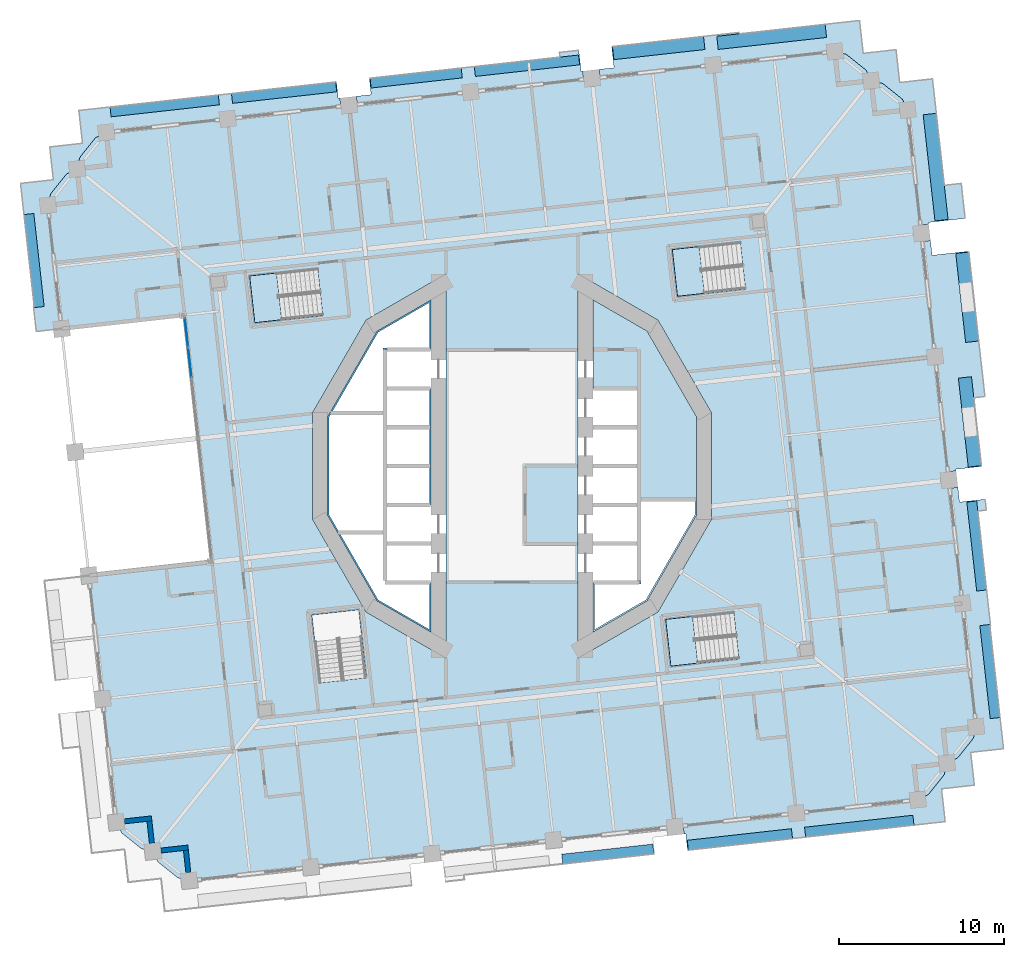
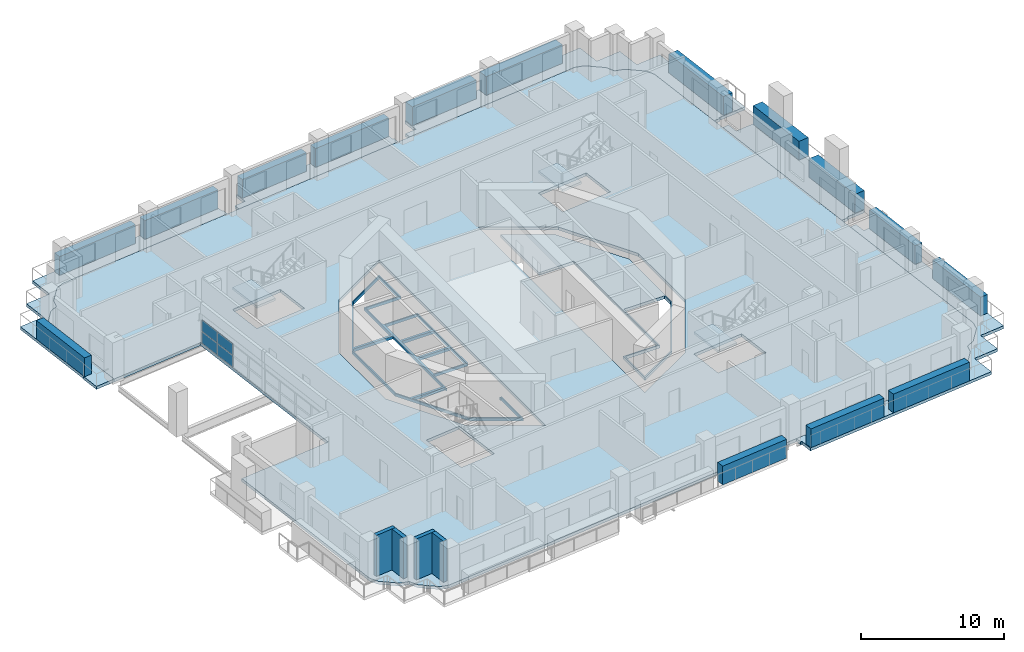
# One storey, part 6 of 21: 19 plates, 11 slabs, 4 walls, 4 elements without a shape of their own.
"""IFC4 building model written with IfcOpenShell, lengths in metres."""

from ifc_helpers import new_model, si_unit, direction, frame, frame_2d, origin, origin_2d, place, context, subcontext, project, spatial, polyline, rectangle, outline, extrude, material, layer, layer_set, type_object, element, aggregate, save


model = new_model("IFC4")

# Units and contexts
model_context = context("Model", 3, precision=1e-05, world=origin(), true_north=direction((0.0, 1.0)))
body_context = subcontext(model_context, "Body", "Model", "MODEL_VIEW")
ifc_project = project(units=[si_unit("LENGTHUNIT", "METRE"), si_unit("AREAUNIT", "SQUARE_METRE"), si_unit("VOLUMEUNIT", "CUBIC_METRE"), si_unit("PLANEANGLEUNIT", "RADIAN"), si_unit("MASSUNIT", "GRAM", prefix="KILO")], contexts=[model_context])

# Site, building, storey
site_placement = place(None, origin())
site = spatial("IfcSite", under=ifc_project, at=site_placement, CompositionType="ELEMENT")
building_placement = place(site_placement, origin())
building = spatial("IfcBuilding", under=site, at=building_placement, Name="Cantera Rosa Tower", CompositionType="ELEMENT")
storey_placement = place(building_placement, frame((0.0, 0.0, 69.10009765625)))
storey = spatial("IfcBuildingStorey", under=building, at=storey_placement, Name="L14", CompositionType="ELEMENT", Elevation=69.10009765625)

# Slabs
ifc_material_1 = material(Name="Concrete C35/45", Category="concrete")
ifc_layer_1 = layer(ifc_material_1, 0.25)
ifc_layer_set_1 = layer_set([ifc_layer_1], Name="COMPOSITE FLOOR SLAB 250 C35/45")
slab_type_1 = type_object("IfcSlabType", Name="COMPOSITE FLOOR SLAB 250 C35/45", PredefinedType="FLOOR", material=ifc_layer_set_1)
slab_1_placement = place(storey_placement, frame((0.0, 0.0, -0.25)))
element("IfcSlab", 1, at=slab_1_placement, inside=storey, type_object=slab_type_1, Name="SLAB L14 floor 1", PredefinedType="FLOOR", context=body_context, shape_type="SweptSolid", body=[
    extrude(outline(polyline([(-10.403076171875, -4.12939453125), (-8.106689453125, -8.106689453125), (-5.0, -9.900390625), (-5.0, -7.14990234375), (-5.0927734375, -7.050048828125), (-4.89990234375, -7.050048828125), (-4.89990234375, -10.07373046875), (-8.179931640625, -8.179931640625), (-11.174072265625, -2.994140625), (-11.174072265625, 2.994140625), (-8.179931640625, 8.179931640625), (-4.89990234375, 10.07373046875), (-4.89990234375, 7.050048828125), (-7.699951171875, 7.050048828125), (-7.699951171875, 4.699951171875), (-4.89990234375, 4.699951171875), (-4.89990234375, -2.35009765625), (-7.699951171875, -2.35009765625), (-7.699951171875, -4.2373046875), (-7.800048828125, -4.12939453125), (-10.403076171875, -4.12939453125)]), holes=[polyline([(-7.60009765625, -0.10009765625), (-7.60009765625, -2.25), (-5.0, -2.25), (-5.0, -0.10009765625), (-7.60009765625, -0.10009765625)]), polyline([(-11.07421875, 2.96728515625), (-11.07421875, -2.96728515625), (-10.5185546875, -3.929443359375), (-7.800048828125, -3.929443359375), (-7.800048828125, -2.449951171875), (-7.800048828125, -2.25), (-7.800048828125, 2.25), (-7.800048828125, 2.449951171875), (-7.800048828125, 3.12353515625), (-10.98388671875, 3.12353515625), (-11.07421875, 2.96728515625)]), polyline([(-7.60009765625, 2.25), (-7.60009765625, 0.10009765625), (-5.0, 0.10009765625), (-5.0, 2.25), (-7.60009765625, 2.25)]), polyline([(-7.60009765625, 2.449951171875), (-5.0, 2.449951171875), (-5.0, 4.60009765625), (-7.60009765625, 4.60009765625), (-7.60009765625, 2.449951171875)]), polyline([(-8.106689453125, 8.106689453125), (-10.868408203125, 3.323486328125), (-7.800048828125, 3.323486328125), (-7.800048828125, 7.14990234375), (-5.0, 7.14990234375), (-5.0, 9.900390625), (-8.106689453125, 8.106689453125)])]), origin(), (0.0, 0.0, 1.0), 0.25),
])
slab_2_placement = place(storey_placement, frame((0.0, 0.0, -0.25)))
element("IfcSlab", 2, at=slab_2_placement, inside=storey, type_object=slab_type_1, Name="SLAB L14 floor 2", PredefinedType="FLOOR", context=body_context, shape_type="SweptSolid", body=[
    extrude(outline(polyline([(-20.288818359375, -24.902099609375), (-21.39306640625, -24.018798828125), (-21.415283203125, -23.999267578125), (-21.435302734375, -23.9775390625), (-21.453125, -23.9541015625), (-21.468505859375, -23.92919921875), (-21.7578125, -23.342529296875), (-22.393310546875, -23.18896484375), (-22.42138671875, -23.179443359375), (-22.447998046875, -23.1669921875), (-22.473388671875, -23.15234375), (-22.497314453125, -23.135009765625), (-23.6015625, -22.25146484375), (-23.62353515625, -22.23193359375), (-23.643798828125, -22.21044921875), (-23.66162109375, -22.18701171875), (-23.677001953125, -22.161865234375), (-23.96630859375, -21.575439453125), (-25.625244140625, -6.627197265625), (-18.171142578125, -5.7998046875), (-19.830078125, 9.148193359375), (-27.284423828125, 8.321044921875), (-28.114013671875, 15.795166015625), (-27.960205078125, 16.4306640625), (-27.95068359375, 16.45849609375), (-27.9384765625, 16.4853515625), (-27.923583984375, 16.5107421875), (-27.906494140625, 16.53466796875), (-27.022705078125, 17.638916015625), (-27.00341796875, 17.660888671875), (-26.981689453125, 17.680908203125), (-26.958251953125, 17.69873046875), (-26.933349609375, 17.714111328125), (-26.3466796875, 18.00341796875), (-26.193115234375, 18.63916015625), (-26.18359375, 18.6669921875), (-26.17138671875, 18.693603515625), (-26.156494140625, 18.71923828125), (-26.139404296875, 18.742919921875), (-25.255615234375, 19.84716796875), (-25.236083984375, 19.869384765625), (-25.214599609375, 19.889404296875), (-25.191162109375, 19.9072265625), (-25.166015625, 19.922607421875), (-24.57958984375, 20.2119140625), (18.642578125, 25.00927734375), (19.54931640625, 25.10986328125), (20.18505859375, 24.9560546875), (20.212890625, 24.946533203125), (20.239501953125, 24.934326171875), (20.26513671875, 24.91943359375), (20.288818359375, 24.902099609375), (21.39306640625, 24.018798828125), (21.415283203125, 23.999267578125), (21.435302734375, 23.9775390625), (21.453125, 23.9541015625), (21.468505859375, 23.92919921875), (21.7578125, 23.342529296875), (22.393310546875, 23.18896484375), (22.42138671875, 23.179443359375), (22.447998046875, 23.1669921875), (22.473388671875, 23.15234375), (22.497314453125, 23.135009765625), (23.6015625, 22.25146484375), (23.62353515625, 22.23193359375), (23.643798828125, 22.21044921875), (23.66162109375, 22.18701171875), (23.677001953125, 22.161865234375), (23.96630859375, 21.575439453125), (28.114013671875, -15.795166015625), (27.960205078125, -16.4306640625), (27.95068359375, -16.45849609375), (27.9384765625, -16.4853515625), (27.923583984375, -16.5107421875), (27.906494140625, -16.53466796875), (27.022705078125, -17.638916015625), (27.00341796875, -17.660888671875), (26.981689453125, -17.680908203125), (26.958251953125, -17.69873046875), (26.933349609375, -17.714111328125), (26.3466796875, -18.00341796875), (26.193115234375, -18.63916015625), (26.18359375, -18.6669921875), (26.17138671875, -18.693603515625), (26.156494140625, -18.71923828125), (26.139404296875, -18.742919921875), (25.255615234375, -19.84716796875), (25.236083984375, -19.869384765625), (25.214599609375, -19.889404296875), (25.191162109375, -19.9072265625), (25.166015625, -19.922607421875), (24.57958984375, -20.2119140625), (-18.642578125, -25.00927734375), (-19.54931640625, -25.10986328125), (-20.18505859375, -24.9560546875), (-20.212890625, -24.946533203125), (-20.239501953125, -24.934326171875), (-20.26513671875, -24.91943359375), (-20.288818359375, -24.902099609375)]), holes=[polyline([(-8.83056640625, -12.822265625), (-9.287109375, -8.709716796875), (-12.11962890625, -9.02392578125), (-11.6630859375, -13.13671875), (-8.83056640625, -12.822265625)]), polyline([(-8.8388671875, 8.8388671875), (-12.07421875, 3.235107421875), (-12.07421875, -3.235107421875), (-8.8388671875, -8.8388671875), (-4.0, -11.632568359375), (-4.0, 11.632568359375), (-8.8388671875, 8.8388671875)]), polyline([(-11.46337890625, 9.13671875), (-11.777587890625, 11.969482421875), (-15.890380859375, 11.512939453125), (-15.575927734375, 8.680419921875), (-11.46337890625, 9.13671875)]), polyline([(13.42236328125, -8.83056640625), (9.3095703125, -9.287109375), (9.6240234375, -12.11962890625), (13.73681640625, -11.6630859375), (13.42236328125, -8.83056640625)]), polyline([(4.0, -11.632568359375), (8.8388671875, -8.8388671875), (12.07421875, -3.235107421875), (12.07421875, 3.235107421875), (8.8388671875, 8.8388671875), (4.0, 11.632568359375), (4.0, -11.632568359375)]), polyline([(14.13671875, 10.73681640625), (13.822265625, 13.5693359375), (9.709716796875, 13.11279296875), (10.02392578125, 10.2802734375), (14.13671875, 10.73681640625)])]), origin(), (0.0, 0.0, 1.0), 0.25),
])
slab_3_placement = place(storey_placement, frame((0.0, 0.0, -0.25)))
element("IfcSlab", 3, at=slab_3_placement, inside=storey, type_object=slab_type_1, Name="SLAB L14 floor 3", PredefinedType="FLOOR", context=body_context, shape_type="SweptSolid", body=[
    extrude(outline(polyline([(7.699951171875, 0.0), (7.699951171875, 2.35009765625), (7.699951171875, 4.699951171875), (4.89990234375, 4.699951171875), (4.89990234375, 10.07373046875), (8.179931640625, 8.179931640625), (11.174072265625, 2.994140625), (11.174072265625, -2.994140625), (8.179931640625, -8.179931640625), (4.89990234375, -10.07373046875), (4.89990234375, -7.050048828125), (7.699951171875, -7.050048828125), (7.699951171875, -4.699951171875), (7.699951171875, -2.35009765625), (7.699951171875, 0.0)]), holes=[polyline([(7.800048828125, -2.25), (7.800048828125, -2.449951171875), (7.800048828125, -7.14990234375), (5.0, -7.14990234375), (5.0, -9.900390625), (8.106689453125, -8.106689453125), (11.07421875, -2.96728515625), (11.07421875, -2.11474609375), (7.800048828125, -2.11474609375), (7.800048828125, -2.25)])]), origin(), (0.0, 0.0, 1.0), 0.25),
])

# Curtain wall, plates
ifc_material_2 = material(Name="Aluminium frame with clear glass", Category="aluminium")
curtain_wall_type = type_object("IfcCurtainWallType", Name="CW1 TERRACE POCKET GLAZING", PredefinedType="NOTDEFINED", material=ifc_material_2)
curtain_wall_placement = place(storey_placement, origin())
curtain_wall = element("IfcCurtainWall", 4, at=curtain_wall_placement, inside=storey, type_object=curtain_wall_type, Name="CW1 CW1", PredefinedType="NOTDEFINED")
ifc_material_3 = material(Name="Aluminium frame with clear glass", Category="aluminium")
ifc_layer_2 = layer(ifc_material_3, 0.028076171875)
ifc_layer_set_2 = layer_set([ifc_layer_2], Name="CW-PANEL POCKET")
plate_type_1 = type_object("IfcPlateType", Name="CW-PANEL POCKET", PredefinedType="CURTAIN_PANEL", material=ifc_layer_set_2)
plate_1_placement = place(storey_placement, frame((-19.712890625, 8.09033203125, 0.06005859375), z_axis=(0.0, 0.0, 1.0), x_axis=(0.110312555508, -0.993896946417, 0.0)))
plate_1 = element("IfcPlate", 5, at=plate_1_placement, type_object=plate_type_1, Name="CW1 panel 1.1", PredefinedType="CURTAIN_PANEL", context=body_context, shape_type="SweptSolid", body=[
    extrude(rectangle(XDim=1.7587890625, YDim=0.028076171875, at=origin_2d()), origin(), (0.0, 0.0, 1.0), 0.9619140625),
])
plate_2_placement = place(storey_placement, frame((-19.712890625, 8.09033203125, 1.08203125), z_axis=(0.0, 0.0, 1.0), x_axis=(0.110312555508, -0.993896946417, 0.0)))
plate_2 = element("IfcPlate", 6, at=plate_2_placement, type_object=plate_type_1, Name="CW1 panel 1.2", PredefinedType="CURTAIN_PANEL", context=body_context, shape_type="SweptSolid", body=[
    extrude(rectangle(XDim=1.7587890625, YDim=0.028076171875, at=origin_2d()), origin(), (0.0, 0.0, 1.0), 0.9619140625),
])
plate_3_placement = place(storey_placement, frame((-19.510498046875, 6.267822265625, 0.06005859375), z_axis=(0.0, 0.0, 1.0), x_axis=(0.110312555508, -0.993896946417, 0.0)))
plate_3 = element("IfcPlate", 7, at=plate_3_placement, type_object=plate_type_1, Name="CW1 panel 2.1", PredefinedType="CURTAIN_PANEL", context=body_context, shape_type="SweptSolid", body=[
    extrude(rectangle(XDim=1.788818359375, YDim=0.028076171875, at=origin_2d()), origin(), (0.0, 0.0, 1.0), 0.9619140625),
])
plate_4_placement = place(storey_placement, frame((-19.510498046875, 6.267822265625, 1.08203125), z_axis=(0.0, 0.0, 1.0), x_axis=(0.110312555508, -0.993896946417, 0.0)))
plate_4 = element("IfcPlate", 8, at=plate_4_placement, type_object=plate_type_1, Name="CW1 panel 2.2", PredefinedType="CURTAIN_PANEL", context=body_context, shape_type="SweptSolid", body=[
    extrude(rectangle(XDim=1.788818359375, YDim=0.028076171875, at=origin_2d()), origin(), (0.0, 0.0, 1.0), 0.9619140625),
])
aggregate(curtain_wall, [plate_1, plate_2, plate_3, plate_4])

# Slabs
ifc_material_4 = material(Name="Concrete C35/45", Category="concrete")
ifc_layer_3 = layer(ifc_material_4, 0.25)
ifc_layer_set_3 = layer_set([ifc_layer_3], Name="LOGGIA SLAB 250 C35/45")
slab_type_2 = type_object("IfcSlabType", Name="LOGGIA SLAB 250 C35/45", PredefinedType="FLOOR", material=ifc_layer_set_3)
slab_4_placement = place(storey_placement, frame((0.0, 0.0, -0.25)))
element("IfcSlab", 9, at=slab_4_placement, inside=storey, type_object=slab_type_2, Name="LOGGIA SLAB L14 2", PredefinedType="FLOOR", context=body_context, shape_type="SweptSolid", body=[
    extrude(outline(polyline([(-28.9453125, 9.686279296875), (-29.604736328125, 15.629638671875), (-29.770263671875, 17.12060546875), (-28.279296875, 17.285888671875), (-27.782470703125, 17.341064453125), (-27.837646484375, 17.837890625), (-28.003173828125, 19.328857421875), (-26.51220703125, 19.494384765625), (-26.015380859375, 19.549560546875), (-26.070556640625, 20.04638671875), (-26.236083984375, 21.537353515625), (-24.7451171875, 21.702880859375), (-18.881103515625, 22.353515625), (-15.8994140625, 22.6845703125), (-11.5263671875, 23.169921875), (-10.6318359375, 23.269287109375), (-10.521484375, 22.275390625), (-10.422119140625, 22.286376953125), (-10.366943359375, 21.789306640625), (-24.57958984375, 20.2119140625), (-25.166015625, 19.922607421875), (-25.191162109375, 19.9072265625), (-25.214599609375, 19.889404296875), (-25.236083984375, 19.869384765625), (-25.255615234375, 19.84716796875), (-26.139404296875, 18.742919921875), (-26.156494140625, 18.71923828125), (-26.17138671875, 18.693603515625), (-26.18359375, 18.6669921875), (-26.193115234375, 18.63916015625), (-26.3466796875, 18.00341796875), (-26.933349609375, 17.714111328125), (-26.958251953125, 17.69873046875), (-26.981689453125, 17.680908203125), (-27.00341796875, 17.660888671875), (-27.022705078125, 17.638916015625), (-27.906494140625, 16.53466796875), (-27.923583984375, 16.5107421875), (-27.9384765625, 16.4853515625), (-27.95068359375, 16.45849609375), (-27.960205078125, 16.4306640625), (-28.114013671875, 15.795166015625), (-27.284423828125, 8.321044921875), (-28.815185546875, 8.151123046875), (-28.985107421875, 9.681884765625), (-28.9453125, 9.686279296875)])), origin(), (0.0, 0.0, 1.0), 0.25),
])
slab_5_placement = place(storey_placement, frame((0.0, 0.0, -0.25)))
element("IfcSlab", 10, at=slab_5_placement, inside=storey, type_object=slab_type_2, Name="LOGGIA SLAB L14 4", PredefinedType="FLOOR", context=body_context, shape_type="SweptSolid", body=[
    extrude(outline(polyline([(-1.189697265625, 24.317138671875), (2.89990234375, 24.77099609375), (2.868408203125, 25.054443359375), (4.04638671875, 25.185302734375), (4.188232421875, 23.907958984375), (4.28759765625, 23.9189453125), (4.3427734375, 23.422119140625), (-9.373046875, 21.899658203125), (-9.42822265625, 22.396484375), (-8.53369140625, 22.495849609375), (-8.64404296875, 23.48974609375), (-8.544677734375, 23.5009765625), (-4.17138671875, 23.986083984375), (-1.189697265625, 24.317138671875)])), origin(), (0.0, 0.0, 1.0), 0.25),
])
slab_6_placement = place(storey_placement, frame((0.0, 0.0, -0.25)))
element("IfcSlab", 11, at=slab_6_placement, inside=storey, type_object=slab_type_2, Name="LOGGIA SLAB L14 6", PredefinedType="FLOOR", context=body_context, shape_type="SweptSolid", body=[
    extrude(outline(polyline([(19.36181640625, 26.79931640625), (21.051513671875, 26.98681640625), (21.239013671875, 25.29736328125), (21.272216796875, 24.999267578125), (21.5703125, 25.0322265625), (23.260009765625, 25.2197265625), (23.447509765625, 23.5302734375), (23.48046875, 23.23193359375), (23.77880859375, 23.26513671875), (25.46826171875, 23.45263671875), (25.65576171875, 21.762939453125), (26.183837890625, 17.0048828125), (27.21044921875, 17.118896484375), (27.445556640625, 14.9990234375), (25.2265625, 14.752685546875), (25.237548828125, 14.653564453125), (24.740478515625, 14.598388671875), (23.96630859375, 21.575439453125), (23.677001953125, 22.161865234375), (23.66162109375, 22.18701171875), (23.643798828125, 22.21044921875), (23.62353515625, 22.23193359375), (23.6015625, 22.25146484375), (22.497314453125, 23.135009765625), (22.473388671875, 23.15234375), (22.447998046875, 23.1669921875), (22.42138671875, 23.179443359375), (22.393310546875, 23.18896484375), (21.7578125, 23.342529296875), (21.468505859375, 23.92919921875), (21.453125, 23.9541015625), (21.435302734375, 23.9775390625), (21.415283203125, 23.999267578125), (21.39306640625, 24.018798828125), (20.288818359375, 24.902099609375), (20.26513671875, 24.91943359375), (20.239501953125, 24.934326171875), (20.212890625, 24.946533203125), (20.18505859375, 24.9560546875), (19.54931640625, 25.10986328125), (18.642578125, 25.00927734375), (5.336669921875, 23.5322265625), (5.281494140625, 24.029296875), (6.176025390625, 24.12841796875), (6.0341796875, 25.406005859375), (13.77197265625, 26.2646484375), (13.78125, 26.179931640625), (19.36181640625, 26.79931640625)])), origin(), (0.0, 0.0, 1.0), 0.25),
])
slab_7_placement = place(storey_placement, frame((0.0, 0.0, -0.25)))
element("IfcSlab", 12, at=slab_7_placement, inside=storey, type_object=slab_type_2, Name="LOGGIA SLAB L14 7", PredefinedType="FLOOR", context=body_context, shape_type="SweptSolid", body=[
    extrude(outline(polyline([(28.985107421875, -9.681884765625), (28.9453125, -9.686279296875), (29.604736328125, -15.629638671875), (29.770263671875, -17.12060546875), (28.279296875, -17.285888671875), (27.782470703125, -17.341064453125), (27.837646484375, -17.837890625), (28.003173828125, -19.328857421875), (26.51220703125, -19.494384765625), (26.015380859375, -19.549560546875), (26.070556640625, -20.04638671875), (26.236083984375, -21.537353515625), (24.7451171875, -21.702880859375), (18.881103515625, -22.353515625), (15.8994140625, -22.6845703125), (11.5263671875, -23.169921875), (10.6318359375, -23.269287109375), (10.521484375, -22.275390625), (10.422119140625, -22.286376953125), (10.366943359375, -21.789306640625), (24.57958984375, -20.2119140625), (25.166015625, -19.922607421875), (25.191162109375, -19.9072265625), (25.214599609375, -19.889404296875), (25.236083984375, -19.869384765625), (25.255615234375, -19.84716796875), (26.139404296875, -18.742919921875), (26.156494140625, -18.71923828125), (26.17138671875, -18.693603515625), (26.18359375, -18.6669921875), (26.193115234375, -18.63916015625), (26.3466796875, -18.00341796875), (26.933349609375, -17.714111328125), (26.958251953125, -17.69873046875), (26.981689453125, -17.680908203125), (27.00341796875, -17.660888671875), (27.022705078125, -17.638916015625), (27.906494140625, -16.53466796875), (27.923583984375, -16.5107421875), (27.9384765625, -16.4853515625), (27.95068359375, -16.45849609375), (27.960205078125, -16.4306640625), (28.114013671875, -15.795166015625), (26.510009765625, -1.34375), (27.007080078125, -1.288818359375), (27.106201171875, -2.18310546875), (28.65625, -2.010986328125), (28.72900390625, -2.66650390625), (28.212890625, -2.723876953125), (28.985107421875, -9.681884765625)])), origin(), (0.0, 0.0, 1.0), 0.25),
])
slab_8_placement = place(storey_placement, frame((0.0, 0.0, -0.25)))
element("IfcSlab", 13, at=slab_8_placement, inside=storey, type_object=slab_type_2, Name="LOGGIA SLAB L14 8", PredefinedType="FLOOR", context=body_context, shape_type="SweptSolid", body=[
    extrude(outline(polyline([(28.435546875, -0.023193359375), (26.885498046875, -0.1953125), (26.896728515625, -0.294921875), (26.399658203125, -0.349853515625), (24.850830078125, 13.6044921875), (25.347900390625, 13.65966796875), (25.447265625, 12.764892578125), (27.666259765625, 13.01123046875), (28.642822265625, 4.212646484375), (27.9736328125, 4.138427734375), (28.435546875, -0.023193359375)])), origin(), (0.0, 0.0, 1.0), 0.25),
])

# Plates
ifc_material_5 = material(Name="Cantera stone planter with soil", Category="masonry")
plate_type_2 = type_object("IfcPlateType", Name="PLANTER 600", PredefinedType="USERDEFINED", material=ifc_material_5)
plate_5_placement = place(storey_placement, frame((28.94970703125, -12.447509765625, -0.000244140625), z_axis=(0.0, 0.0, 1.0), x_axis=(-0.110312555526, 0.993896946415, 0.0)))
element("IfcPlate", 14, at=plate_5_placement, inside=storey, type_object=plate_type_2, Name="PLANTER L14-01", ObjectType="PLANTER", PredefinedType="USERDEFINED", context=body_context, shape_type="SweptSolid", body=[
    extrude(rectangle(XDim=5.669921875, YDim=0.60009765625, at=origin_2d()), origin(), (0.0, 0.0, 1.0), 1.60009765625),
])
plate_6_placement = place(storey_placement, frame((28.146240234375, -4.8447265625, -0.000244140625), z_axis=(0.0, 0.0, 1.0), x_axis=(-0.110312555526, 0.993896946415, 0.0)))
element("IfcPlate", 15, at=plate_6_placement, inside=storey, type_object=plate_type_2, Name="PLANTER L14-02", ObjectType="PLANTER", PredefinedType="USERDEFINED", context=body_context, shape_type="SweptSolid", body=[
    extrude(rectangle(XDim=5.419921875, YDim=0.60009765625, at=origin_2d()), origin(), (0.0, 0.0, 1.0), 1.60009765625),
])
plate_7_placement = place(storey_placement, frame((0.90576171875, 24.247802734375, -0.000244140625), z_axis=(0.0, 0.0, 1.0), x_axis=(-0.993896946415, -0.110312555526, 0.0)))
element("IfcPlate", 16, at=plate_7_placement, inside=storey, type_object=plate_type_2, Name="PLANTER L14-08", ObjectType="PLANTER", PredefinedType="USERDEFINED", context=body_context, shape_type="SweptSolid", body=[
    extrude(rectangle(XDim=6.35009765625, YDim=0.60009765625, at=origin_2d()), origin(), (0.0, 0.0, 1.0), 1.60009765625),
])
plate_8_placement = place(storey_placement, frame((-5.80322265625, 23.503173828125, -0.000244140625), z_axis=(0.0, 0.0, 1.0), x_axis=(-0.993896946415, -0.110312555526, 0.0)))
element("IfcPlate", 17, at=plate_8_placement, inside=storey, type_object=plate_type_2, Name="PLANTER L14-09", ObjectType="PLANTER", PredefinedType="USERDEFINED", context=body_context, shape_type="SweptSolid", body=[
    extrude(rectangle(XDim=5.550048828125, YDim=0.60009765625, at=origin_2d()), origin(), (0.0, 0.0, 1.0), 1.60009765625),
])
plate_9_placement = place(storey_placement, frame((-13.803955078125, 22.615234375, -0.000244140625), z_axis=(0.0, 0.0, 1.0), x_axis=(-0.993896946415, -0.110312555526, 0.0)))
element("IfcPlate", 18, at=plate_9_placement, inside=storey, type_object=plate_type_2, Name="PLANTER L14-10", ObjectType="PLANTER", PredefinedType="USERDEFINED", context=body_context, shape_type="SweptSolid", body=[
    extrude(rectangle(XDim=6.35009765625, YDim=0.60009765625, at=origin_2d()), origin(), (0.0, 0.0, 1.0), 1.60009765625),
])
plate_10_placement = place(storey_placement, frame((-21.03466796875, 21.812744140625, -0.000244140625), z_axis=(0.0, 0.0, 1.0), x_axis=(-0.993896946415, -0.110312555526, 0.0)))
element("IfcPlate", 19, at=plate_10_placement, inside=storey, type_object=plate_type_2, Name="PLANTER L14-11", ObjectType="PLANTER", PredefinedType="USERDEFINED", context=body_context, shape_type="SweptSolid", body=[
    extrude(rectangle(XDim=6.60009765625, YDim=0.60009765625, at=origin_2d()), origin(), (0.0, 0.0, 1.0), 1.60009765625),
])
plate_11_placement = place(storey_placement, frame((-28.94970703125, 12.447509765625, -0.000244140625), z_axis=(0.0, 0.0, 1.0), x_axis=(0.110312555526, -0.993896946415, 0.0)))
element("IfcPlate", 20, at=plate_11_placement, inside=storey, type_object=plate_type_2, Name="PLANTER L14-12", ObjectType="PLANTER", PredefinedType="USERDEFINED", context=body_context, shape_type="SweptSolid", body=[
    extrude(rectangle(XDim=5.669921875, YDim=0.60009765625, at=origin_2d()), origin(), (0.0, 0.0, 1.0), 1.60009765625),
])
plate_12_placement = place(storey_placement, frame((5.80322265625, -23.503173828125, -0.000244140625), z_axis=(0.0, 0.0, 1.0), x_axis=(0.993896946415, 0.110312555526, 0.0)))
element("IfcPlate", 21, at=plate_12_placement, inside=storey, type_object=plate_type_2, Name="PLANTER L14-20", ObjectType="PLANTER", PredefinedType="USERDEFINED", context=body_context, shape_type="SweptSolid", body=[
    extrude(rectangle(XDim=5.550048828125, YDim=0.60009765625, at=origin_2d()), origin(), (0.0, 0.0, 1.0), 1.60009765625),
])
plate_13_placement = place(storey_placement, frame((13.803955078125, -22.615234375, -0.000244140625), z_axis=(0.0, 0.0, 1.0), x_axis=(0.993896946415, 0.110312555526, 0.0)))
element("IfcPlate", 22, at=plate_13_placement, inside=storey, type_object=plate_type_2, Name="PLANTER L14-21", ObjectType="PLANTER", PredefinedType="USERDEFINED", context=body_context, shape_type="SweptSolid", body=[
    extrude(rectangle(XDim=6.35009765625, YDim=0.60009765625, at=origin_2d()), origin(), (0.0, 0.0, 1.0), 1.60009765625),
])
plate_14_placement = place(storey_placement, frame((21.03466796875, -21.812744140625, -0.000244140625), z_axis=(0.0, 0.0, 1.0), x_axis=(0.993896946415, 0.110312555526, 0.0)))
element("IfcPlate", 23, at=plate_14_placement, inside=storey, type_object=plate_type_2, Name="PLANTER L14-22", ObjectType="PLANTER", PredefinedType="USERDEFINED", context=body_context, shape_type="SweptSolid", body=[
    extrude(rectangle(XDim=6.60009765625, YDim=0.60009765625, at=origin_2d()), origin(), (0.0, 0.0, 1.0), 1.60009765625),
])
ifc_material_6 = material(Name="Cantera stone planter with soil", Category="masonry")
plate_type_3 = type_object("IfcPlateType", Name="PLANTER 800", PredefinedType="USERDEFINED", material=ifc_material_6)
for number, where, z_axis, x_axis, name in (
    (24, (27.733642578125, 2.67578125, -0.000244140625), (0.0, 0.0, 1.0), (-0.110312555526, 0.993896946415, 0.0), "PLANTER L14-03"),
    (25, (27.5732421875, 10.22412109375, -0.000244140625), (0.0, 0.0, 1.0), (-0.110312555526, 0.993896946415, 0.0), "PLANTER L14-04"),
):
    element("IfcPlate", number, at=place(storey_placement, frame(where, z_axis=z_axis, x_axis=x_axis)), inside=storey, type_object=plate_type_3, Name=name, ObjectType="PLANTER", PredefinedType="USERDEFINED", context=body_context, shape_type="SweptSolid", body=[
        extrude(rectangle(XDim=5.419921875, YDim=0.800048828125, at=origin_2d()), origin(), (0.0, 0.0, 1.0), 1.60009765625),
    ])
plate_15_placement = place(storey_placement, frame((25.6591796875, 18.10595703125, -0.000244140625), z_axis=(0.0, 0.0, 1.0), x_axis=(-0.110312555526, 0.993896946415, 0.0)))
element("IfcPlate", 26, at=plate_15_placement, inside=storey, type_object=plate_type_3, Name="PLANTER L14-05", ObjectType="PLANTER", PredefinedType="USERDEFINED", context=body_context, shape_type="SweptSolid", body=[
    extrude(rectangle(XDim=6.469970703125, YDim=0.800048828125, at=origin_2d()), origin(), (0.0, 0.0, 1.0), 1.60009765625),
])
plate_16_placement = place(storey_placement, frame((15.728515625, 25.99365234375, -0.000244140625), z_axis=(0.0, 0.0, 1.0), x_axis=(-0.993896946415, -0.110312555526, 0.0)))
element("IfcPlate", 27, at=plate_16_placement, inside=storey, type_object=plate_type_3, Name="PLANTER L14-06", ObjectType="PLANTER", PredefinedType="USERDEFINED", context=body_context, shape_type="SweptSolid", body=[
    extrude(rectangle(XDim=6.60009765625, YDim=0.800048828125, at=origin_2d()), origin(), (0.0, 0.0, 1.0), 1.60009765625),
])
plate_17_placement = place(storey_placement, frame((8.88623046875, 25.320068359375, -0.000244140625), z_axis=(0.0, 0.0, 1.0), x_axis=(-0.993896946415, -0.110312555526, 0.0)))
element("IfcPlate", 28, at=plate_17_placement, inside=storey, type_object=plate_type_3, Name="PLANTER L14-07", ObjectType="PLANTER", PredefinedType="USERDEFINED", context=body_context, shape_type="SweptSolid", body=[
    extrude(rectangle(XDim=5.550048828125, YDim=0.800048828125, at=origin_2d()), origin(), (0.0, 0.0, 1.0), 1.60009765625),
])

# Stair, slab
ifc_material_7 = material(Name="Concrete C35/45", Category="concrete")
stair_type = type_object("IfcStairType", Name="EXIT STAIR 1350 DOGLEG", PredefinedType="HALF_TURN_STAIR", material=ifc_material_7)
stair_1_placement = place(storey_placement, origin())
stair_1 = element("IfcStair", 29, at=stair_1_placement, inside=storey, type_object=stair_type, Name="L14 ST-11", PredefinedType="HALF_TURN_STAIR")
ifc_material_8 = material(Name="Concrete C35/45", Category="concrete")
ifc_layer_4 = layer(ifc_material_8, 0.199951171875)
ifc_layer_set_4 = layer_set([ifc_layer_4], Name="STAIR LANDING 200")
slab_type_3 = type_object("IfcSlabType", Name="STAIR LANDING 200", PredefinedType="LANDING", material=ifc_layer_set_4)
slab_9_placement = place(storey_placement, frame((0.0, 0.0, 1.699951171875)))
slab_9 = element("IfcSlab", 30, at=slab_9_placement, type_object=slab_type_3, Name="ST-11 landing 1", PredefinedType="LANDING", context=body_context, shape_type="SweptSolid", body=[
    extrude(outline(polyline([(11.341552734375, 13.294189453125), (9.70947265625, 13.113037109375), (10.02392578125, 10.2802734375), (11.656005859375, 10.46142578125), (11.341552734375, 13.294189453125)])), origin(), (0.0, 0.0, 1.0), 0.199951171875),
])
aggregate(stair_1, [slab_9])

stair_2_placement = place(storey_placement, origin())
stair_2 = element("IfcStair", 31, at=stair_2_placement, inside=storey, type_object=stair_type, Name="L14 ST-12", PredefinedType="HALF_TURN_STAIR")
slab_10_placement = place(storey_placement, frame((0.0, 0.0, 1.699951171875)))
slab_10 = element("IfcSlab", 32, at=slab_10_placement, type_object=slab_type_3, Name="ST-12 landing 1", PredefinedType="LANDING", context=body_context, shape_type="SweptSolid", body=[
    extrude(outline(polyline([(-14.258544921875, 11.694091796875), (-15.890380859375, 11.512939453125), (-15.575927734375, 8.680419921875), (-13.944091796875, 8.861572265625), (-14.258544921875, 11.694091796875)])), origin(), (0.0, 0.0, 1.0), 0.199951171875),
])
aggregate(stair_2, [slab_10])

stair_3_placement = place(storey_placement, origin())
stair_3 = element("IfcStair", 33, at=stair_3_placement, inside=storey, type_object=stair_type, Name="L14 ST-14", PredefinedType="HALF_TURN_STAIR")
slab_11_placement = place(storey_placement, frame((0.0, 0.0, 1.699951171875)))
slab_11 = element("IfcSlab", 34, at=slab_11_placement, type_object=slab_type_3, Name="ST-14 landing 1", PredefinedType="LANDING", context=body_context, shape_type="SweptSolid", body=[
    extrude(outline(polyline([(10.941650390625, -9.10595703125), (9.3095703125, -9.287109375), (9.6240234375, -12.11962890625), (11.255859375, -11.9384765625), (10.941650390625, -9.10595703125)])), origin(), (0.0, 0.0, 1.0), 0.199951171875),
])
aggregate(stair_3, [slab_11])

# Walls
ifc_material_9 = material(Name="Hollow clay masonry with cantera stone cladding", Category="masonry")
ifc_layer_5 = layer(ifc_material_9, 0.300048828125)
ifc_layer_set_5 = layer_set([ifc_layer_5], Name="EW-LOGGIA 300")
wall_type = type_object("IfcWallType", Name="EW-LOGGIA 300", PredefinedType="SOLIDWALL", material=ifc_layer_set_5)
wall_1_placement = place(storey_placement, frame((-23.46923828125, -21.520263671875, 0.0), z_axis=(0.0, 0.0, 1.0), x_axis=(0.993905369514, 0.110236638423, 0.0)))
element("IfcWall", 35, at=wall_1_placement, inside=storey, type_object=wall_type, Name="EN-L14-W21a", PredefinedType="SOLIDWALL", context=body_context, shape_type="SweptSolid", body=[
    extrude(rectangle(XDim=1.64990234375, YDim=0.300048828125, at=frame_2d((0.824951171875, 0.0))), origin(), (0.0, 0.0, 1.0), 3.5),
])
wall_2_placement = place(storey_placement, frame((-21.9619140625, -21.50390625, 0.0), z_axis=(0.0, 0.0, 1.0), x_axis=(0.110312435488, -0.993896959738, 0.0)))
element("IfcWall", 36, at=wall_2_placement, inside=storey, type_object=wall_type, Name="EN-L14-W21b", PredefinedType="SOLIDWALL", context=body_context, shape_type="SweptSolid", body=[
    extrude(rectangle(XDim=1.35009765625, YDim=0.300048828125, at=frame_2d((0.675048828125, 0.0))), origin(), (0.0, 0.0, 1.0), 3.5),
])
wall_3_placement = place(storey_placement, frame((-21.2607421875, -23.287353515625, 0.0), z_axis=(0.0, 0.0, 1.0), x_axis=(0.993905369514, 0.110236638423, 0.0)))
element("IfcWall", 37, at=wall_3_placement, inside=storey, type_object=wall_type, Name="EN-L14-W22a", PredefinedType="SOLIDWALL", context=body_context, shape_type="SweptSolid", body=[
    extrude(rectangle(XDim=1.64990234375, YDim=0.300048828125, at=frame_2d((0.824951171875, 0.0))), origin(), (0.0, 0.0, 1.0), 3.5),
])
wall_4_placement = place(storey_placement, frame((-19.75341796875, -23.27099609375, 0.0), z_axis=(0.0, 0.0, 1.0), x_axis=(0.110312435488, -0.993896959738, 0.0)))
element("IfcWall", 38, at=wall_4_placement, inside=storey, type_object=wall_type, Name="EN-L14-W22b", PredefinedType="SOLIDWALL", context=body_context, shape_type="SweptSolid", body=[
    extrude(rectangle(XDim=1.35009765625, YDim=0.300048828125, at=frame_2d((0.675048828125, 0.0))), origin(), (0.0, 0.0, 1.0), 3.5),
])

save(model, "model.ifc")
